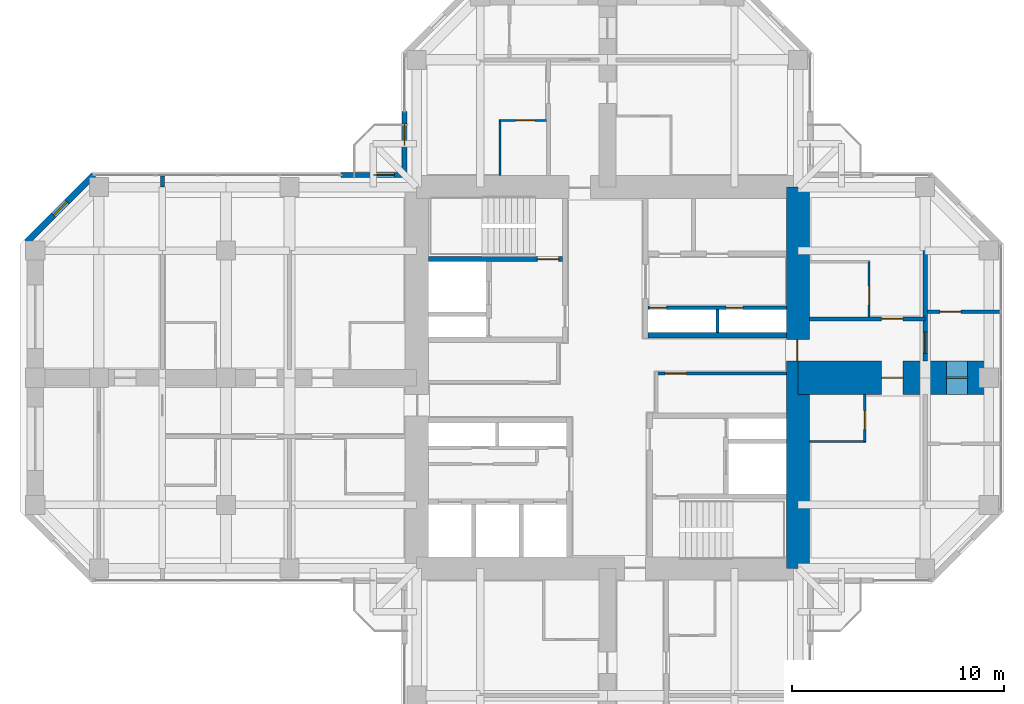
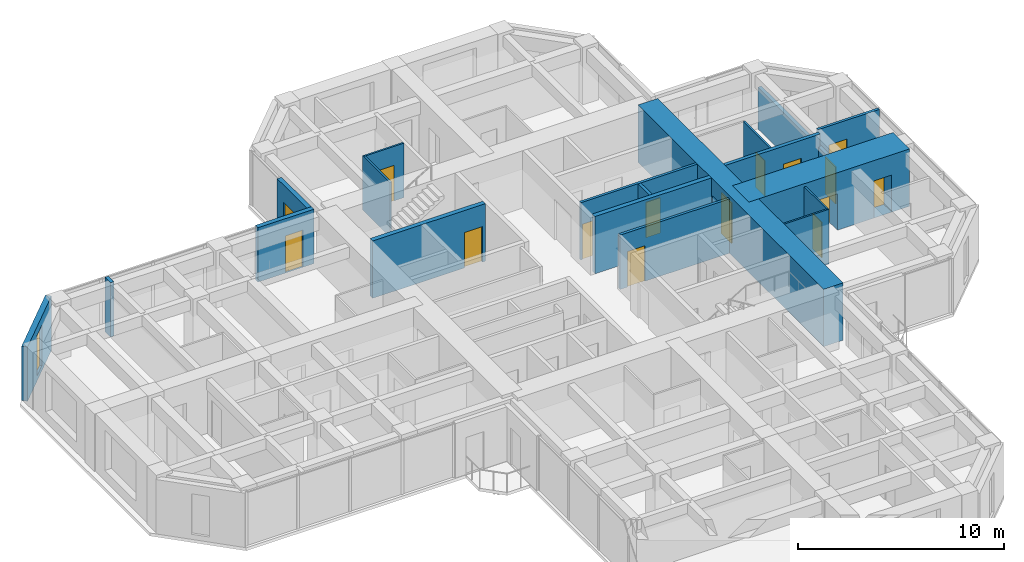
# One storey, part 11 of 14: 19 walls, 15 doors, 1 window, 16 openings.
"""IFC4 building model written with IfcOpenShell, lengths in metres."""

from ifc_helpers import new_model, si_unit, direction, frame, frame_2d, origin, place, context, subcontext, project, spatial, rectangle, hollow_rectangle, extrude, material, layer, layer_set, constituent, constituent_set, type_object, element, fill, save


model = new_model("IFC4")

# Units and contexts
model_context = context("Model", 3, precision=1e-05, world=origin(), true_north=direction((0.0, 1.0)))
body_context = subcontext(model_context, "Body", "Model", "MODEL_VIEW")
ifc_project = project(units=[si_unit("LENGTHUNIT", "METRE"), si_unit("AREAUNIT", "SQUARE_METRE"), si_unit("VOLUMEUNIT", "CUBIC_METRE"), si_unit("PLANEANGLEUNIT", "RADIAN"), si_unit("MASSUNIT", "GRAM", prefix="KILO")], contexts=[model_context])

# Site, building, storey
site_placement = place(None, origin())
site = spatial("IfcSite", under=ifc_project, at=site_placement, CompositionType="ELEMENT")
building_placement = place(site_placement, origin())
building = spatial("IfcBuilding", under=site, at=building_placement, Name="Torre Cruceta", CompositionType="ELEMENT")
storey_placement = place(building_placement, frame((0.0, 0.0, 176.300048828125)))
storey = spatial("IfcBuildingStorey", under=building, at=storey_placement, Name="L43", CompositionType="ELEMENT", Elevation=176.300048828125)

# Wall
ifc_material_1 = material(Name="Water-resistant plasterboard on steel studs", Category="steel")
ifc_layer_1 = layer(ifc_material_1, 0.10009765625)
ifc_layer_set_1 = layer_set([ifc_layer_1], Name="Water-resistant plasterboard on steel studs")
wall_type_1 = type_object("IfcWallType", Name="BATHROOM WALL 100", PredefinedType="PARTITIONING", material=ifc_layer_set_1)
wall_1_placement = place(storey_placement, frame((-5.074951171875, 9.550048828125, 0.0), z_axis=(0.0, 0.0, 1.0), x_axis=(0.0, 1.0, 0.0)))
element("IfcWall", 1, at=wall_1_placement, inside=storey, type_object=wall_type_1, Name="PT4 L43-N-U1LBB", PredefinedType="PARTITIONING", context=body_context, shape_type="SweptSolid", body=[
    extrude(rectangle(XDim=2.64990234375, YDim=0.10009765625, at=frame_2d((1.324951171875, 0.0))), origin(), (0.0, 0.0, 1.0), 3.219970703125),
])

# Wall, opening, door
wall_2_placement = place(storey_placement, frame((-2.875, 12.14990234375, 0.0), z_axis=(0.0, 0.0, 1.0), x_axis=(-1.0, 0.0, 0.0)))
wall_2 = element("IfcWall", 2, at=wall_2_placement, inside=storey, type_object=wall_type_1, Name="PT4 L43-N-U1LBS", PredefinedType="PARTITIONING", context=body_context, shape_type="SweptSolid", body=[
    extrude(rectangle(XDim=2.199951171875, YDim=0.10009765625, at=frame_2d((1.10009765625, 0.0))), origin(), (0.0, 0.0, 1.0), 3.219970703125),
])
opening_1_placement = place(wall_2_placement, frame((0.550048828125, 0.0, 0.0)))
opening_1 = element("IfcOpeningElement", 3, at=opening_1_placement, cuts=wall_2, Name="Opening D7", PredefinedType="OPENING", context=body_context, shape_type="SweptSolid", body=[
    extrude(rectangle(XDim=0.89990234375, YDim=2.10009765625, at=frame_2d((0.449951171875, 1.050048828125))), frame((0.0, 0.06005859375, 0.0), z_axis=(0.0, -1.0, 0.0), x_axis=(1.0, 0.0, 0.0)), (0.0, 0.0, 1.0), 0.1201171875),
])
ifc_material_2 = material(Name="Timber door", Category="wood")
door_type_1 = type_object("IfcDoorType", Name="BATHROOM DOOR 900X2100", OperationType="SINGLE_SWING_LEFT", PredefinedType="DOOR", material=ifc_material_2)
door_1_placement = place(opening_1_placement, origin())
door_1 = element("IfcDoor", 4, at=door_1_placement, inside=storey, type_object=door_type_1, Name="D7 L43-N-U1LBS-D1", OperationType="SINGLE_SWING_LEFT", OverallHeight=2.10009765625, OverallWidth=0.89990234375, PredefinedType="DOOR", context=body_context, shape_type="SweptSolid", body=[
    extrude(rectangle(XDim=0.89990234375, YDim=2.10009765625, at=frame_2d((0.449951171875, 1.050048828125))), frame((0.0, 0.02490234375, 0.0), z_axis=(0.0, -1.0, 0.0), x_axis=(1.0, 0.0, 0.0)), (0.0, 0.0, 1.0), 0.050048828125),
])
fill(opening_1, door_1)

wall_3_placement = place(storey_placement, frame((12.35009765625, 2.875, 0.0), z_axis=(0.0, 0.0, 1.0), x_axis=(0.0, 1.0, 0.0)))
wall_3 = element("IfcWall", 5, at=wall_3_placement, inside=storey, type_object=wall_type_1, Name="PT4 L43-E-U1LBS", PredefinedType="PARTITIONING", context=body_context, shape_type="SweptSolid", body=[
    extrude(rectangle(XDim=2.60009765625, YDim=0.10009765625, at=frame_2d((1.300048828125, 0.0))), origin(), (0.0, 0.0, 1.0), 3.219970703125),
])
opening_2_placement = place(wall_3_placement, frame((0.550048828125, 0.0, 0.0)))
opening_2 = element("IfcOpeningElement", 6, at=opening_2_placement, cuts=wall_3, Name="Opening D7", PredefinedType="OPENING", context=body_context, shape_type="SweptSolid", body=[
    extrude(rectangle(XDim=0.89990234375, YDim=2.10009765625, at=frame_2d((0.449951171875, 1.050048828125))), frame((0.0, 0.06005859375, 0.0), z_axis=(0.0, -1.0, 0.0), x_axis=(1.0, 0.0, 0.0)), (0.0, 0.0, 1.0), 0.1201171875),
])
door_2_placement = place(opening_2_placement, origin())
door_2 = element("IfcDoor", 7, at=door_2_placement, inside=storey, type_object=door_type_1, Name="D7 L43-E-U1LBS-D1", OperationType="SINGLE_SWING_LEFT", OverallHeight=2.10009765625, OverallWidth=0.89990234375, PredefinedType="DOOR", context=body_context, shape_type="SweptSolid", body=[
    extrude(rectangle(XDim=0.89990234375, YDim=2.10009765625, at=frame_2d((0.449951171875, 1.050048828125))), frame((0.0, 0.02490234375, 0.0), z_axis=(0.0, -1.0, 0.0), x_axis=(1.0, 0.0, 0.0)), (0.0, 0.0, 1.0), 0.050048828125),
])
fill(opening_2, door_2)

# Wall
wall_4_placement = place(storey_placement, frame((9.550048828125, -3.0, 0.0), z_axis=(0.0, 0.0, 1.0), x_axis=(1.0, 0.0, 0.0)))
element("IfcWall", 8, at=wall_4_placement, inside=storey, type_object=wall_type_1, Name="PT4 L43-E-U1RBB", PredefinedType="PARTITIONING", context=body_context, shape_type="SweptSolid", body=[
    extrude(rectangle(XDim=2.64990234375, YDim=0.10009765625, at=frame_2d((1.324951171875, 0.0))), origin(), (0.0, 0.0, 1.0), 3.219970703125),
])

# Wall, opening, door
wall_5_placement = place(storey_placement, frame((12.14990234375, -3.0, 0.0), z_axis=(0.0, 0.0, 1.0), x_axis=(0.0, 1.0, 0.0)))
wall_5 = element("IfcWall", 9, at=wall_5_placement, inside=storey, type_object=wall_type_1, Name="PT4 L43-E-U1RBS", PredefinedType="PARTITIONING", context=body_context, shape_type="SweptSolid", body=[
    extrude(rectangle(XDim=2.199951171875, YDim=0.10009765625, at=frame_2d((1.10009765625, 0.0))), origin(), (0.0, 0.0, 1.0), 3.219970703125),
])
opening_3_placement = place(wall_5_placement, frame((0.550048828125, 0.0, 0.0)))
opening_3 = element("IfcOpeningElement", 10, at=opening_3_placement, cuts=wall_5, Name="Opening D7", PredefinedType="OPENING", context=body_context, shape_type="SweptSolid", body=[
    extrude(rectangle(XDim=0.89990234375, YDim=2.10009765625, at=frame_2d((0.449951171875, 1.050048828125))), frame((0.0, 0.06005859375, 0.0), z_axis=(0.0, -1.0, 0.0), x_axis=(1.0, 0.0, 0.0)), (0.0, 0.0, 1.0), 0.1201171875),
])
door_3_placement = place(opening_3_placement, origin())
door_3 = element("IfcDoor", 11, at=door_3_placement, inside=storey, type_object=door_type_1, Name="D7 L43-E-U1RBS-D1", OperationType="SINGLE_SWING_LEFT", OverallHeight=2.10009765625, OverallWidth=0.89990234375, PredefinedType="DOOR", context=body_context, shape_type="SweptSolid", body=[
    extrude(rectangle(XDim=0.89990234375, YDim=2.10009765625, at=frame_2d((0.449951171875, 1.050048828125))), frame((0.0, 0.02490234375, 0.0), z_axis=(0.0, -1.0, 0.0), x_axis=(1.0, 0.0, 0.0)), (0.0, 0.0, 1.0), 0.050048828125),
])
fill(opening_3, door_3)

# Wall
ifc_material_3 = material(Name="Concrete G60 (fck 60 MPa)", Category="concrete")
ifc_layer_2 = layer(ifc_material_3, 0.25)
ifc_layer_set_2 = layer_set([ifc_layer_2], Name="Concrete G60 (fck 60 MPa)")
wall_type_2 = type_object("IfcWallType", Name="CORE INNER WALL 250 G60", PredefinedType="SHEAR", material=ifc_layer_set_2)
wall_6_placement = place(storey_placement, frame((1.925048828125, 2.0, 0.0), z_axis=(0.0, 0.0, 1.0), x_axis=(1.0, 0.0, 0.0)))
element("IfcWall", 12, at=wall_6_placement, inside=storey, type_object=wall_type_2, Name="CW4 L43 NE-CV", PredefinedType="SHEAR", context=body_context, shape_type="SweptSolid", body=[
    extrude(rectangle(XDim=6.52490234375, YDim=0.25, at=frame_2d((3.262451171875, 0.0))), origin(), (0.0, 0.0, 1.0), 3.39990234375),
])

# Wall, opening, door
wall_7_placement = place(storey_placement, frame((-2.125, 5.60009765625, 0.0), z_axis=(0.0, 0.0, 1.0), x_axis=(-1.0, 0.0, 0.0)))
wall_7 = element("IfcWall", 13, at=wall_7_placement, inside=storey, type_object=wall_type_2, Name="CW4 L43 NW-SV", PredefinedType="SHEAR", context=body_context, shape_type="SweptSolid", body=[
    extrude(rectangle(XDim=6.324951171875, YDim=0.25, at=frame_2d((3.16259765625, 0.0))), origin(), (0.0, 0.0, 1.0), 3.39990234375),
])
opening_4_placement = place(wall_7_placement, frame((0.175048828125, 0.0, 0.0)))
opening_4 = element("IfcOpeningElement", 14, at=opening_4_placement, cuts=wall_7, Name="Opening D3", PredefinedType="OPENING", context=body_context, shape_type="SweptSolid", body=[
    extrude(rectangle(XDim=1.0, YDim=2.10009765625, at=frame_2d((0.5, 1.050048828125))), frame((0.0, 0.135009765625, 0.0), z_axis=(0.0, -1.0, 0.0), x_axis=(1.0, 0.0, 0.0)), (0.0, 0.0, 1.0), 0.27001953125),
])
ifc_material_4 = material(Name="Steel DX51D", Category="steel")
ifc_constituent_1 = constituent(ifc_material_4, Name="Leaf and frame")
ifc_material_5 = material(Name="Polyester powder coating", Category="paint")
ifc_constituent_2 = constituent(ifc_material_5, Name="Finish")
ifc_constituent_set_1 = constituent_set(constituents=[ifc_constituent_1, ifc_constituent_2], Name="Steel fire door")
door_type_2 = type_object("IfcDoorType", Name="FIRE DOOR 1000X2100", OperationType="SINGLE_SWING_LEFT", PredefinedType="DOOR", material=ifc_constituent_set_1)
door_4_placement = place(opening_4_placement, frame((1.0, 0.0, 0.0), z_axis=(0.0, 0.0, 1.0), x_axis=(-1.0, 0.0, 0.0)))
door_4 = element("IfcDoor", 15, at=door_4_placement, inside=storey, type_object=door_type_2, Name="D3 L43 NW-STAIR", OperationType="SINGLE_SWING_RIGHT", OverallHeight=2.10009765625, OverallWidth=1.0, PredefinedType="DOOR", context=body_context, shape_type="SweptSolid", body=[
    extrude(rectangle(XDim=1.0, YDim=2.10009765625, at=frame_2d((0.5, 1.050048828125))), frame((0.0, 0.025146484375, 0.0), z_axis=(0.0, -1.0, 0.0), x_axis=(1.0, 0.0, 0.0)), (0.0, 0.0, 1.0), 0.050048828125),
])
fill(opening_4, door_4)

ifc_material_6 = material(Name="Concrete G60 (fck 60 MPa)", Category="concrete")
ifc_layer_3 = layer(ifc_material_6, 1.10009765625)
ifc_layer_set_3 = layer_set([ifc_layer_3], Name="Concrete G60 (fck 60 MPa)")
wall_type_3 = type_object("IfcWallType", Name="CORE WALL 1100 G60", PredefinedType="SHEAR", material=ifc_layer_set_3)
wall_8_placement = place(storey_placement, frame((9.0, -9.0, 0.0), z_axis=(0.0, 0.0, 1.0), x_axis=(0.0, 1.0, 0.0)))
wall_8 = element("IfcWall", 16, at=wall_8_placement, inside=storey, type_object=wall_type_3, Name="CW2 L43 CW-E", PredefinedType="SHEAR", context=body_context, shape_type="SweptSolid", body=[
    extrude(rectangle(XDim=18.0, YDim=1.10009765625, at=frame_2d((9.0, 0.0))), origin(), (0.0, 0.0, 1.0), 3.39990234375),
])
opening_5_placement = place(wall_8_placement, frame((9.800048828125, 0.0, 0.0)))
opening_5 = element("IfcOpeningElement", 17, at=opening_5_placement, cuts=wall_8, Name="Opening D4", PredefinedType="OPENING", context=body_context, shape_type="SweptSolid", body=[
    extrude(rectangle(XDim=1.0, YDim=2.39990234375, at=frame_2d((0.5, 1.199951171875))), frame((0.0, 0.56005859375, 0.0), z_axis=(0.0, -1.0, 0.0), x_axis=(1.0, 0.0, 0.0)), (0.0, 0.0, 1.0), 1.1201171875),
])
ifc_material_7 = material(Name="Steel DX51D", Category="steel")
ifc_constituent_3 = constituent(ifc_material_7, Name="Leaf and frame")
ifc_material_8 = material(Name="Polyester powder coating", Category="paint")
ifc_constituent_4 = constituent(ifc_material_8, Name="Finish")
ifc_constituent_set_2 = constituent_set(constituents=[ifc_constituent_3, ifc_constituent_4], Name="Steel fire door")
door_type_3 = type_object("IfcDoorType", Name="CORE ARM DOOR 1000X2400", OperationType="SINGLE_SWING_RIGHT", PredefinedType="DOOR", material=ifc_constituent_set_2)
door_5_placement = place(opening_5_placement, origin())
door_5 = element("IfcDoor", 18, at=door_5_placement, inside=storey, type_object=door_type_3, Name="D4 L43 CW-E", OperationType="SINGLE_SWING_RIGHT", OverallHeight=2.39990234375, OverallWidth=1.0, PredefinedType="DOOR", context=body_context, shape_type="SweptSolid", body=[
    extrude(rectangle(XDim=1.0, YDim=2.39990234375, at=frame_2d((0.5, 1.199951171875))), frame((0.0, 0.05517578125, 0.0), z_axis=(0.0, -1.0, 0.0), x_axis=(1.0, 0.0, 0.0)), (0.0, 0.0, 1.0), 0.050048828125),
])
fill(opening_5, door_5)

ifc_material_9 = material(Name="Concrete G25 (fck 25 MPa)", Category="concrete")
ifc_layer_4 = layer(ifc_material_9, 0.199951171875)
ifc_layer_set_4 = layer_set([ifc_layer_4], Name="Concrete G25 (fck 25 MPa)")
wall_type_4 = type_object("IfcWallType", Name="CORRIDOR WALL 200", PredefinedType="SOLIDWALL", material=ifc_layer_set_4)
wall_9_placement = place(storey_placement, frame((9.550048828125, 2.77490234375, 0.0), z_axis=(0.0, 0.0, 1.0), x_axis=(1.0, 0.0, 0.0)))
wall_9 = element("IfcWall", 19, at=wall_9_placement, inside=storey, type_object=wall_type_4, Name="PT3 L43-E-CL", PredefinedType="SOLIDWALL", context=body_context, shape_type="SweptSolid", body=[
    extrude(rectangle(XDim=5.449951171875, YDim=0.199951171875, at=frame_2d((2.72509765625, 0.0))), origin(), (0.0, 0.0, 1.0), 3.219970703125),
])
opening_6_placement = place(wall_9_placement, frame((3.39990234375, 0.0, 0.0)))
opening_6 = element("IfcOpeningElement", 20, at=opening_6_placement, cuts=wall_9, Name="Opening D6", PredefinedType="OPENING", context=body_context, shape_type="SweptSolid", body=[
    extrude(rectangle(XDim=1.0, YDim=2.14990234375, at=frame_2d((0.5, 1.074951171875))), frame((0.0, 0.10986328125, 0.0), z_axis=(0.0, -1.0, 0.0), x_axis=(1.0, 0.0, 0.0)), (0.0, 0.0, 1.0), 0.219970703125),
])
ifc_material_10 = material(Name="Timber fire door", Category="wood")
door_type_4 = type_object("IfcDoorType", Name="UNIT ENTRANCE DOOR 1000X2150", OperationType="SINGLE_SWING_LEFT", PredefinedType="DOOR", material=ifc_material_10)
door_6_placement = place(opening_6_placement, origin())
door_6 = element("IfcDoor", 21, at=door_6_placement, inside=storey, type_object=door_type_4, Name="D6 L43-E-CL-D1", OperationType="SINGLE_SWING_LEFT", OverallHeight=2.14990234375, OverallWidth=1.0, PredefinedType="DOOR", context=body_context, shape_type="SweptSolid", body=[
    extrude(rectangle(XDim=1.0, YDim=2.14990234375, at=frame_2d((0.5, 1.074951171875))), frame((0.0, 0.02490234375, 0.0), z_axis=(0.0, -1.0, 0.0), x_axis=(1.0, 0.0, 0.0)), (0.0, 0.0, 1.0), 0.050048828125),
])
fill(opening_6, door_6)

# Wall, opening, window
ifc_material_11 = material(Name="Concrete G30 (fck 30 MPa)", Category="concrete")
ifc_layer_5 = layer(ifc_material_11, 0.300048828125)
ifc_layer_set_5 = layer_set([ifc_layer_5], Name="Concrete G30 (fck 30 MPa)")
wall_type_5 = type_object("IfcWallType", Name="EXPOSED CONCRETE FACADE WALL 300", PredefinedType="SOLIDWALL", material=ifc_layer_set_5)
wall_10_placement = place(storey_placement, frame((-24.236083984375, 9.570068359375, 0.0), z_axis=(0.0, 0.0, 1.0), x_axis=(-0.707079499254, -0.707134062067, 0.0)))
wall_10 = element("IfcWall", 22, at=wall_10_placement, inside=storey, type_object=wall_type_5, Name="EW1 facade wall L43 W chamfer 11", PredefinedType="SOLIDWALL", context=body_context, shape_type="SweptSolid", body=[
    extrude(rectangle(XDim=4.474609375, YDim=0.300048828125, at=frame_2d((2.2373046875, 0.0))), origin(), (0.0, 0.0, 1.0), 3.219970703125),
])
opening_7_placement = place(wall_10_placement, frame((1.787109375, 0.0, 0.300048828125)))
opening_7 = element("IfcOpeningElement", 23, at=opening_7_placement, cuts=wall_10, Name="Opening WN5", PredefinedType="OPENING", context=body_context, shape_type="SweptSolid", body=[
    extrude(rectangle(XDim=0.89990234375, YDim=2.39990234375, at=frame_2d((0.449951171875, 1.199951171875))), frame((0.0, 0.159912109375, 0.0), z_axis=(0.0, -1.0, 0.0), x_axis=(1.0, 0.0, 0.0)), (0.0, 0.0, 1.0), 0.320068359375),
])
ifc_material_12 = material(Name="Aluminium window frame", Category="aluminium")
ifc_constituent_5 = constituent(ifc_material_12, Name="Frame")
ifc_material_13 = material(Name="Laminated insulating glass unit, low-iron clear", Category="glass")
ifc_constituent_6 = constituent(ifc_material_13, Name="Glazing")
ifc_constituent_set_3 = constituent_set(constituents=[ifc_constituent_5, ifc_constituent_6], Name="Aluminium window")
window_type = type_object("IfcWindowType", Name="CHAMFER SLOT WINDOW 900X2400", PartitioningType="SINGLE_PANEL", PredefinedType="WINDOW", material=ifc_constituent_set_3)
window_placement = place(opening_7_placement, origin())
window = element("IfcWindow", 24, at=window_placement, inside=storey, type_object=window_type, Name="WN5 L43 W 1", OverallHeight=2.39990234375, OverallWidth=0.89990234375, PartitioningType="SINGLE_PANEL", PredefinedType="WINDOW", context=body_context, shape_type="SweptSolid", body=[
    extrude(hollow_rectangle(XDim=0.89990234375, YDim=2.39990234375, WallThickness=0.06005859375, at=frame_2d((0.449951171875, 1.199951171875))), frame((0.0, 0.030029296875, 0.0), z_axis=(0.0, -1.0, 0.0), x_axis=(1.0, 0.0, 0.0)), (0.0, 0.0, 1.0), 0.06005859375),
    extrude(rectangle(XDim=0.77880859375, YDim=2.27880859375, at=frame_2d((0.449951171875, 1.199951171875))), frame((0.0, 0.030029296875, 0.0), z_axis=(0.0, -1.0, 0.0), x_axis=(1.0, 0.0, 0.0)), (0.0, 0.0, 1.0), 0.06005859375),
])
fill(opening_7, window)

# Wall, opening, door
ifc_material_14 = material(Name="Plasterboard on steel studs", Category="steel")
ifc_layer_6 = layer(ifc_material_14, 0.14990234375)
ifc_layer_set_6 = layer_set([ifc_layer_6], Name="Plasterboard on steel studs")
wall_type_6 = type_object("IfcWallType", Name="PARTITION 150", PredefinedType="PARTITIONING", material=ifc_layer_set_6)
wall_11_placement = place(storey_placement, frame((2.324951171875, 0.199951171875, 0.0), z_axis=(0.0, 0.0, 1.0), x_axis=(1.0, 0.0, 0.0)))
wall_11 = element("IfcWall", 25, at=wall_11_placement, inside=storey, type_object=wall_type_6, Name="PT1 L43-CORE-LEGE-S-W1", PredefinedType="PARTITIONING", context=body_context, shape_type="SweptSolid", body=[
    extrude(rectangle(XDim=6.125, YDim=0.14990234375, at=frame_2d((3.0625, 0.0))), origin(), (0.0, 0.0, 1.0), 3.219970703125),
])
opening_8_placement = place(wall_11_placement, frame((0.39990234375, 0.0, 0.0)))
opening_8 = element("IfcOpeningElement", 26, at=opening_8_placement, cuts=wall_11, Name="Opening D3", PredefinedType="OPENING", context=body_context, shape_type="SweptSolid", body=[
    extrude(rectangle(XDim=1.0, YDim=2.10009765625, at=frame_2d((0.5, 1.050048828125))), frame((0.0, 0.0849609375, 0.0), z_axis=(0.0, -1.0, 0.0), x_axis=(1.0, 0.0, 0.0)), (0.0, 0.0, 1.0), 0.169921875),
])
door_7_placement = place(opening_8_placement, frame((1.0, 0.0, 0.0), z_axis=(0.0, 0.0, 1.0), x_axis=(-1.0, 0.0, 0.0)))
door_7 = element("IfcDoor", 27, at=door_7_placement, inside=storey, type_object=door_type_2, Name="D3 L43-CORE-LEGE-S-W1-D1", OperationType="SINGLE_SWING_RIGHT", OverallHeight=2.10009765625, OverallWidth=1.0, PredefinedType="DOOR", context=body_context, shape_type="SweptSolid", body=[
    extrude(rectangle(XDim=1.0, YDim=2.10009765625, at=frame_2d((0.5, 1.050048828125))), frame((0.0, 0.025146484375, 0.0), z_axis=(0.0, -1.0, 0.0), x_axis=(1.0, 0.0, 0.0)), (0.0, 0.0, 1.0), 0.050048828125),
])
fill(opening_8, door_7)

wall_12_placement = place(storey_placement, frame((15.10009765625, 3.117919921875, 0.0), z_axis=(0.0, 0.0, 1.0), x_axis=(1.0, 0.0, 0.0)))
wall_12 = element("IfcWall", 28, at=wall_12_placement, inside=storey, type_object=wall_type_6, Name="PT1 L43-E-ENDX", PredefinedType="PARTITIONING", context=body_context, shape_type="SweptSolid", body=[
    extrude(rectangle(XDim=3.429931640625, YDim=0.14990234375, at=frame_2d((1.71484375, 0.0))), origin(), (0.0, 0.0, 1.0), 3.219970703125),
])
opening_9_placement = place(wall_12_placement, frame((0.60009765625, 0.0, 0.0)))
opening_9 = element("IfcOpeningElement", 29, at=opening_9_placement, cuts=wall_12, Name="Opening D3", PredefinedType="OPENING", context=body_context, shape_type="SweptSolid", body=[
    extrude(rectangle(XDim=1.0, YDim=2.10009765625, at=frame_2d((0.5, 1.050048828125))), frame((0.0, 0.0849609375, 0.0), z_axis=(0.0, -1.0, 0.0), x_axis=(1.0, 0.0, 0.0)), (0.0, 0.0, 1.0), 0.169921875),
])
door_8_placement = place(opening_9_placement, frame((1.0, 0.0, 0.0), z_axis=(0.0, 0.0, 1.0), x_axis=(-1.0, 0.0, 0.0)))
door_8 = element("IfcDoor", 30, at=door_8_placement, inside=storey, type_object=door_type_2, Name="D3 L43-E-ENDX-D1", OperationType="SINGLE_SWING_LEFT", OverallHeight=2.10009765625, OverallWidth=1.0, PredefinedType="DOOR", context=body_context, shape_type="SweptSolid", body=[
    extrude(rectangle(XDim=1.0, YDim=2.10009765625, at=frame_2d((0.5, 1.050048828125))), frame((0.0, 0.025146484375, 0.0), z_axis=(0.0, -1.0, 0.0), x_axis=(1.0, 0.0, 0.0)), (0.0, 0.0, 1.0), 0.050048828125),
])
fill(opening_9, door_8)

# Wall, openings, doors
ifc_material_15 = material(Name="Concrete block masonry", Category="masonry")
ifc_layer_7 = layer(ifc_material_15, 0.14990234375)
ifc_layer_set_7 = layer_set([ifc_layer_7], Name="Concrete block masonry")
wall_type_7 = type_object("IfcWallType", Name="RISER WALL 150", PredefinedType="PARTITIONING", material=ifc_layer_set_7)
wall_13_placement = place(storey_placement, frame((1.925048828125, 3.300048828125, 0.0), z_axis=(0.0, 0.0, 1.0), x_axis=(1.0, 0.0, 0.0)))
wall_13 = element("IfcWall", 31, at=wall_13_placement, inside=storey, type_object=wall_type_7, Name="SW7 L43 NE-RV", PredefinedType="PARTITIONING", context=body_context, shape_type="SweptSolid", body=[
    extrude(rectangle(XDim=6.52490234375, YDim=0.14990234375, at=frame_2d((3.262451171875, 0.0))), origin(), (0.0, 0.0, 1.0), 3.39990234375),
])
opening_10_placement = place(wall_13_placement, frame((0.074951171875, 0.0, 0.0)))
opening_10 = element("IfcOpeningElement", 32, at=opening_10_placement, cuts=wall_13, Name="Opening D5", PredefinedType="OPENING", context=body_context, shape_type="SweptSolid", body=[
    extrude(rectangle(XDim=0.800048828125, YDim=2.10009765625, at=frame_2d((0.39990234375, 1.050048828125))), frame((0.0, 0.0849609375, 0.0), z_axis=(0.0, -1.0, 0.0), x_axis=(1.0, 0.0, 0.0)), (0.0, 0.0, 1.0), 0.169921875),
])
opening_11_placement = place(wall_13_placement, frame((3.675048828125, 0.0, 0.0)))
opening_11 = element("IfcOpeningElement", 33, at=opening_11_placement, cuts=wall_13, Name="Opening D5", PredefinedType="OPENING", context=body_context, shape_type="SweptSolid", body=[
    extrude(rectangle(XDim=0.800048828125, YDim=2.10009765625, at=frame_2d((0.39990234375, 1.050048828125))), frame((0.0, 0.0849609375, 0.0), z_axis=(0.0, -1.0, 0.0), x_axis=(1.0, 0.0, 0.0)), (0.0, 0.0, 1.0), 0.169921875),
])
ifc_material_16 = material(Name="Steel DX51D", Category="steel")
ifc_constituent_7 = constituent(ifc_material_16, Name="Leaf and frame")
ifc_material_17 = material(Name="Polyester powder coating", Category="paint")
ifc_constituent_8 = constituent(ifc_material_17, Name="Finish")
ifc_constituent_set_4 = constituent_set(constituents=[ifc_constituent_7, ifc_constituent_8], Name="Steel fire door")
door_type_5 = type_object("IfcDoorType", Name="RISER ACCESS DOOR 800X2100", OperationType="SINGLE_SWING_LEFT", PredefinedType="DOOR", material=ifc_constituent_set_4)
door_9_placement = place(opening_10_placement, frame((0.800048828125, 0.0, 0.0), z_axis=(0.0, 0.0, 1.0), x_axis=(-1.0, 0.0, 0.0)))
door_9 = element("IfcDoor", 34, at=door_9_placement, inside=storey, type_object=door_type_5, Name="D5 L43 NE-RISER1", OperationType="SINGLE_SWING_RIGHT", OverallHeight=2.10009765625, OverallWidth=0.800048828125, PredefinedType="DOOR", context=body_context, shape_type="SweptSolid", body=[
    extrude(rectangle(XDim=0.800048828125, YDim=2.10009765625, at=frame_2d((0.400146484375, 1.050048828125))), frame((0.0, 0.025146484375, 0.0), z_axis=(0.0, -1.0, 0.0), x_axis=(1.0, 0.0, 0.0)), (0.0, 0.0, 1.0), 0.050048828125),
])
fill(opening_10, door_9)
door_10_placement = place(opening_11_placement, frame((0.800048828125, 0.0, 0.0), z_axis=(0.0, 0.0, 1.0), x_axis=(-1.0, 0.0, 0.0)))
door_10 = element("IfcDoor", 35, at=door_10_placement, inside=storey, type_object=door_type_5, Name="D5 L43 NE-RISER2", OperationType="SINGLE_SWING_RIGHT", OverallHeight=2.10009765625, OverallWidth=0.800048828125, PredefinedType="DOOR", context=body_context, shape_type="SweptSolid", body=[
    extrude(rectangle(XDim=0.800048828125, YDim=2.10009765625, at=frame_2d((0.400146484375, 1.050048828125))), frame((0.0, 0.025146484375, 0.0), z_axis=(0.0, -1.0, 0.0), x_axis=(1.0, 0.0, 0.0)), (0.0, 0.0, 1.0), 0.050048828125),
])
fill(opening_11, door_10)

# Wall
wall_14_placement = place(storey_placement, frame((5.199951171875, 2.125, 0.0), z_axis=(0.0, 0.0, 1.0), x_axis=(0.0, 1.0, 0.0)))
element("IfcWall", 36, at=wall_14_placement, inside=storey, type_object=wall_type_7, Name="SW7 L43 NE-RU", PredefinedType="PARTITIONING", context=body_context, shape_type="SweptSolid", body=[
    extrude(rectangle(XDim=1.10009765625, YDim=0.14990234375, at=frame_2d((0.550048828125, 0.0))), origin(), (0.0, 0.0, 1.0), 3.39990234375),
])

# Wall, openings, doors
ifc_material_18 = material(Name="Concrete G60 (fck 60 MPa)", Category="concrete")
ifc_layer_8 = layer(ifc_material_18, 1.60009765625)
ifc_layer_set_8 = layer_set([ifc_layer_8], Name="Concrete G60 (fck 60 MPa)")
wall_type_8 = type_object("IfcWallType", Name="SPINE WALL 1600 G60", PredefinedType="SHEAR", material=ifc_layer_set_8)
wall_15_placement = place(storey_placement, frame((9.0, 0.0, 0.0), z_axis=(0.0, 0.0, 1.0), x_axis=(1.0, 0.0, 0.0)))
wall_15 = element("IfcWall", 37, at=wall_15_placement, inside=storey, type_object=wall_type_8, Name="SW2 spine wall L43 E", PredefinedType="SHEAR", context=body_context, shape_type="SweptSolid", body=[
    extrude(rectangle(XDim=9.0, YDim=1.60009765625, at=frame_2d((4.5, 0.0))), origin(), (0.0, 0.0, 1.0), 3.39990234375),
])
opening_12_placement = place(wall_15_placement, frame((3.949951171875, 0.0, 0.0)))
opening_12 = element("IfcOpeningElement", 38, at=opening_12_placement, cuts=wall_15, Name="Opening D6", PredefinedType="OPENING", context=body_context, shape_type="SweptSolid", body=[
    extrude(rectangle(XDim=1.0, YDim=2.14990234375, at=frame_2d((0.5, 1.074951171875))), frame((0.0, 0.81005859375, 0.0), z_axis=(0.0, -1.0, 0.0), x_axis=(1.0, 0.0, 0.0)), (0.0, 0.0, 1.0), 1.6201171875),
])
opening_13_placement = place(wall_15_placement, frame((7.0, 0.0, 0.0)))
opening_13 = element("IfcOpeningElement", 39, at=opening_13_placement, cuts=wall_15, Name="Opening D14", PredefinedType="OPENING", context=body_context, shape_type="SweptSolid", body=[
    extrude(rectangle(XDim=1.0, YDim=2.199951171875, at=frame_2d((0.5, 1.10009765625))), frame((0.0, 0.81005859375, 0.0), z_axis=(0.0, -1.0, 0.0), x_axis=(1.0, 0.0, 0.0)), (0.0, 0.0, 1.0), 1.6201171875),
])
ifc_material_19 = material(Name="Steel DX51D", Category="steel")
ifc_constituent_9 = constituent(ifc_material_19, Name="Leaf and frame")
ifc_material_20 = material(Name="Polyester powder coating", Category="paint")
ifc_constituent_10 = constituent(ifc_material_20, Name="Finish")
ifc_material_21 = material(Name="Fire-resisting glass", Category="glass")
ifc_constituent_11 = constituent(ifc_material_21, Name="Vision panel")
ifc_constituent_set_5 = constituent_set(constituents=[ifc_constituent_9, ifc_constituent_10, ifc_constituent_11], Name="Steel fire door with vision panel")
door_type_6 = type_object("IfcDoorType", Name="FIRE DOOR VISION PANEL 1000X2200", OperationType="SINGLE_SWING_RIGHT", PredefinedType="DOOR", material=ifc_constituent_set_5)
door_11_placement = place(opening_13_placement, origin())
door_11 = element("IfcDoor", 40, at=door_11_placement, inside=storey, type_object=door_type_6, Name="D14 L43-E-SP2", OperationType="SINGLE_SWING_LEFT", OverallHeight=2.199951171875, OverallWidth=1.0, PredefinedType="DOOR", context=body_context, shape_type="SweptSolid", body=[
    extrude(rectangle(XDim=1.0, YDim=2.199951171875, at=frame_2d((0.5, 1.10009765625))), frame((0.0, 0.02490234375, 0.0), z_axis=(0.0, -1.0, 0.0), x_axis=(1.0, 0.0, 0.0)), (0.0, 0.0, 1.0), 0.050048828125),
])
fill(opening_13, door_11)
door_12_placement = place(opening_12_placement, frame((1.0, 0.0, 0.0), z_axis=(0.0, 0.0, 1.0), x_axis=(-1.0, 0.0, 0.0)))
door_12 = element("IfcDoor", 41, at=door_12_placement, inside=storey, type_object=door_type_4, Name="D6 L43-E-SP1", OperationType="SINGLE_SWING_RIGHT", OverallHeight=2.14990234375, OverallWidth=1.0, PredefinedType="DOOR", context=body_context, shape_type="SweptSolid", body=[
    extrude(rectangle(XDim=1.0, YDim=2.14990234375, at=frame_2d((0.5, 1.074951171875))), frame((0.0, 0.025146484375, 0.0), z_axis=(0.0, -1.0, 0.0), x_axis=(1.0, 0.0, 0.0)), (0.0, 0.0, 1.0), 0.050048828125),
])
fill(opening_12, door_12)

# Wall, opening, door
ifc_material_22 = material(Name="Concrete G25 (fck 25 MPa)", Category="concrete")
ifc_layer_9 = layer(ifc_material_22, 0.199951171875)
ifc_layer_set_9 = layer_set([ifc_layer_9], Name="Concrete G25 (fck 25 MPa)")
wall_type_9 = type_object("IfcWallType", Name="UNIT SEPARATING WALL 200", PredefinedType="SOLIDWALL", material=ifc_layer_set_9)
wall_16_placement = place(storey_placement, frame((15.0, 0.800048828125, 0.0), z_axis=(0.0, 0.0, 1.0), x_axis=(0.0, 1.0, 0.0)))
wall_16 = element("IfcWall", 42, at=wall_16_placement, inside=storey, type_object=wall_type_9, Name="PT2 L43-E-ENDb", PredefinedType="SOLIDWALL", context=body_context, shape_type="SweptSolid", body=[
    extrude(rectangle(XDim=7.75, YDim=0.199951171875, at=frame_2d((3.875, 0.0))), origin(), (0.0, 0.0, 1.0), 2.469970703125),
])
opening_14_placement = place(wall_16_placement, frame((0.35009765625, 0.0, 0.0)))
opening_14 = element("IfcOpeningElement", 43, at=opening_14_placement, cuts=wall_16, Name="Opening D14", PredefinedType="OPENING", context=body_context, shape_type="SweptSolid", body=[
    extrude(rectangle(XDim=1.0, YDim=2.199951171875, at=frame_2d((0.5, 1.10009765625))), frame((0.0, 0.10986328125, 0.0), z_axis=(0.0, -1.0, 0.0), x_axis=(1.0, 0.0, 0.0)), (0.0, 0.0, 1.0), 0.219970703125),
])
door_13_placement = place(opening_14_placement, frame((1.0, 0.0, 0.0), z_axis=(0.0, 0.0, 1.0), x_axis=(-1.0, 0.0, 0.0)))
door_13 = element("IfcDoor", 44, at=door_13_placement, inside=storey, type_object=door_type_6, Name="D14 L43-E-ENDb-D1", OperationType="SINGLE_SWING_LEFT", OverallHeight=2.199951171875, OverallWidth=1.0, PredefinedType="DOOR", context=body_context, shape_type="SweptSolid", body=[
    extrude(rectangle(XDim=1.0, YDim=2.199951171875, at=frame_2d((0.5, 1.10009765625))), frame((0.0, 0.025146484375, 0.0), z_axis=(0.0, -1.0, 0.0), x_axis=(1.0, 0.0, 0.0)), (0.0, 0.0, 1.0), 0.050048828125),
])
fill(opening_14, door_13)

# Wall
wall_17_placement = place(storey_placement, frame((-21.0, 9.530029296875, 0.0), z_axis=(0.0, 0.0, 1.0), x_axis=(0.0, -1.0, 0.0)))
element("IfcWall", 45, at=wall_17_placement, inside=storey, type_object=wall_type_9, Name="PT2 L43-W-ENDa", PredefinedType="SOLIDWALL", context=body_context, shape_type="SweptSolid", body=[
    extrude(rectangle(XDim=0.530029296875, YDim=0.199951171875, at=frame_2d((0.26513671875, 0.0))), origin(), (0.0, 0.0, 1.0), 3.219970703125),
])

# Wall, opening, door
ifc_material_23 = material(Name="Concrete G30 (fck 30 MPa)", Category="concrete")
ifc_layer_10 = layer(ifc_material_23, 0.25)
ifc_layer_set_10 = layer_set([ifc_layer_10], Name="Concrete G30 (fck 30 MPa)")
wall_type_10 = type_object("IfcWallType", Name="WINTER GARDEN WALL 250", PredefinedType="SOLIDWALL", material=ifc_layer_set_10)
wall_18_placement = place(storey_placement, frame((-9.570068359375, 12.570068359375, 0.0), z_axis=(0.0, 0.0, 1.0), x_axis=(0.0, -1.0, 0.0)))
wall_18 = element("IfcWall", 46, at=wall_18_placement, inside=storey, type_object=wall_type_10, Name="EW2 winter garden wall L43 09", PredefinedType="SOLIDWALL", context=body_context, shape_type="SweptSolid", body=[
    extrude(rectangle(XDim=2.875, YDim=0.25, at=frame_2d((1.4375, 0.0))), origin(), (0.0, 0.0, 1.0), 3.219970703125),
])
opening_15_placement = place(wall_18_placement, frame((0.60009765625, 0.0, 0.0)))
opening_15 = element("IfcOpeningElement", 47, at=opening_15_placement, cuts=wall_18, Name="Opening D10", PredefinedType="OPENING", context=body_context, shape_type="SweptSolid", body=[
    extrude(rectangle(XDim=1.0, YDim=2.199951171875, at=frame_2d((0.5, 1.10009765625))), frame((0.0, 0.135009765625, 0.0), z_axis=(0.0, -1.0, 0.0), x_axis=(1.0, 0.0, 0.0)), (0.0, 0.0, 1.0), 0.27001953125),
])
ifc_material_24 = material(Name="Aluminium door frame", Category="aluminium")
ifc_constituent_12 = constituent(ifc_material_24, Name="Frame")
ifc_material_25 = material(Name="Laminated safety glass", Category="glass")
ifc_constituent_13 = constituent(ifc_material_25, Name="Glazing")
ifc_constituent_set_6 = constituent_set(constituents=[ifc_constituent_12, ifc_constituent_13], Name="Aluminium glazed door")
door_type_7 = type_object("IfcDoorType", Name="BALCONY DOOR 1000X2200", OperationType="SINGLE_SWING_RIGHT", PredefinedType="DOOR", material=ifc_constituent_set_6)
door_14_placement = place(opening_15_placement, origin())
door_14 = element("IfcDoor", 48, at=door_14_placement, inside=storey, type_object=door_type_7, Name="D10 balcony door L43 09", OperationType="SINGLE_SWING_RIGHT", OverallHeight=2.199951171875, OverallWidth=1.0, PredefinedType="DOOR", context=body_context, shape_type="SweptSolid", body=[
    extrude(hollow_rectangle(XDim=1.0, YDim=2.199951171875, WallThickness=0.06005859375, at=frame_2d((0.5, 1.10009765625))), frame((0.0, 0.02490234375, 0.0), z_axis=(0.0, -1.0, 0.0), x_axis=(1.0, 0.0, 0.0)), (0.0, 0.0, 1.0), 0.050048828125),
    extrude(rectangle(XDim=0.87890625, YDim=2.078857421875, at=frame_2d((0.5, 1.10009765625))), frame((0.0, 0.02490234375, 0.0), z_axis=(0.0, -1.0, 0.0), x_axis=(1.0, 0.0, 0.0)), (0.0, 0.0, 1.0), 0.050048828125),
])
fill(opening_15, door_14)

wall_19_placement = place(storey_placement, frame((-9.445068359375, 9.570068359375, 0.0), z_axis=(0.0, 0.0, 1.0), x_axis=(-1.0, 0.0, 0.0)))
wall_19 = element("IfcWall", 49, at=wall_19_placement, inside=storey, type_object=wall_type_10, Name="EW2 winter garden wall L43 10", PredefinedType="SOLIDWALL", context=body_context, shape_type="SweptSolid", body=[
    extrude(rectangle(XDim=3.125, YDim=0.25, at=frame_2d((1.5625, 0.0))), origin(), (0.0, 0.0, 1.0), 3.219970703125),
])
opening_16_placement = place(wall_19_placement, frame((0.60009765625, 0.0, 0.0)))
opening_16 = element("IfcOpeningElement", 50, at=opening_16_placement, cuts=wall_19, Name="Opening D10", PredefinedType="OPENING", context=body_context, shape_type="SweptSolid", body=[
    extrude(rectangle(XDim=1.0, YDim=2.199951171875, at=frame_2d((0.5, 1.10009765625))), frame((0.0, 0.135009765625, 0.0), z_axis=(0.0, -1.0, 0.0), x_axis=(1.0, 0.0, 0.0)), (0.0, 0.0, 1.0), 0.27001953125),
])
door_15_placement = place(opening_16_placement, origin())
door_15 = element("IfcDoor", 51, at=door_15_placement, inside=storey, type_object=door_type_7, Name="D10 balcony door L43 10", OperationType="SINGLE_SWING_LEFT", OverallHeight=2.199951171875, OverallWidth=1.0, PredefinedType="DOOR", context=body_context, shape_type="SweptSolid", body=[
    extrude(hollow_rectangle(XDim=1.0, YDim=2.199951171875, WallThickness=0.06005859375, at=frame_2d((0.5, 1.10009765625))), frame((0.0, 0.02490234375, 0.0), z_axis=(0.0, -1.0, 0.0), x_axis=(1.0, 0.0, 0.0)), (0.0, 0.0, 1.0), 0.050048828125),
    extrude(rectangle(XDim=0.87890625, YDim=2.078857421875, at=frame_2d((0.5, 1.10009765625))), frame((0.0, 0.02490234375, 0.0), z_axis=(0.0, -1.0, 0.0), x_axis=(1.0, 0.0, 0.0)), (0.0, 0.0, 1.0), 0.050048828125),
])
fill(opening_16, door_15)

save(model, "model.ifc")
